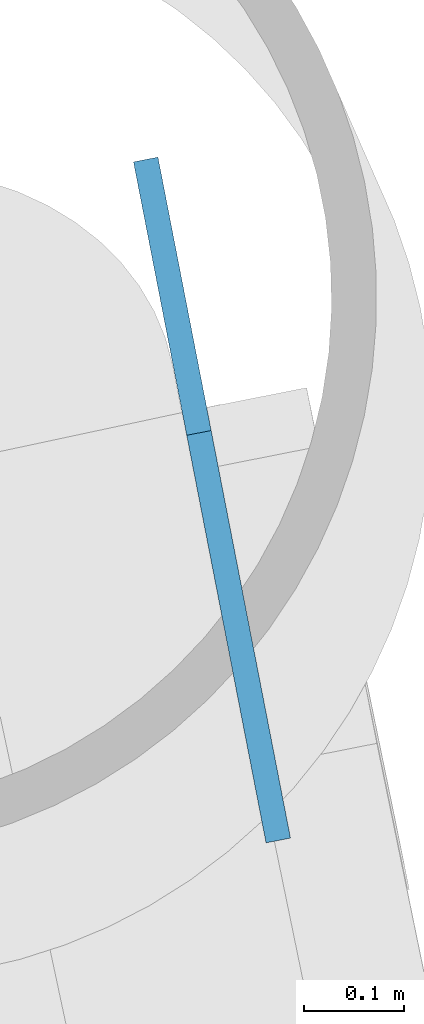
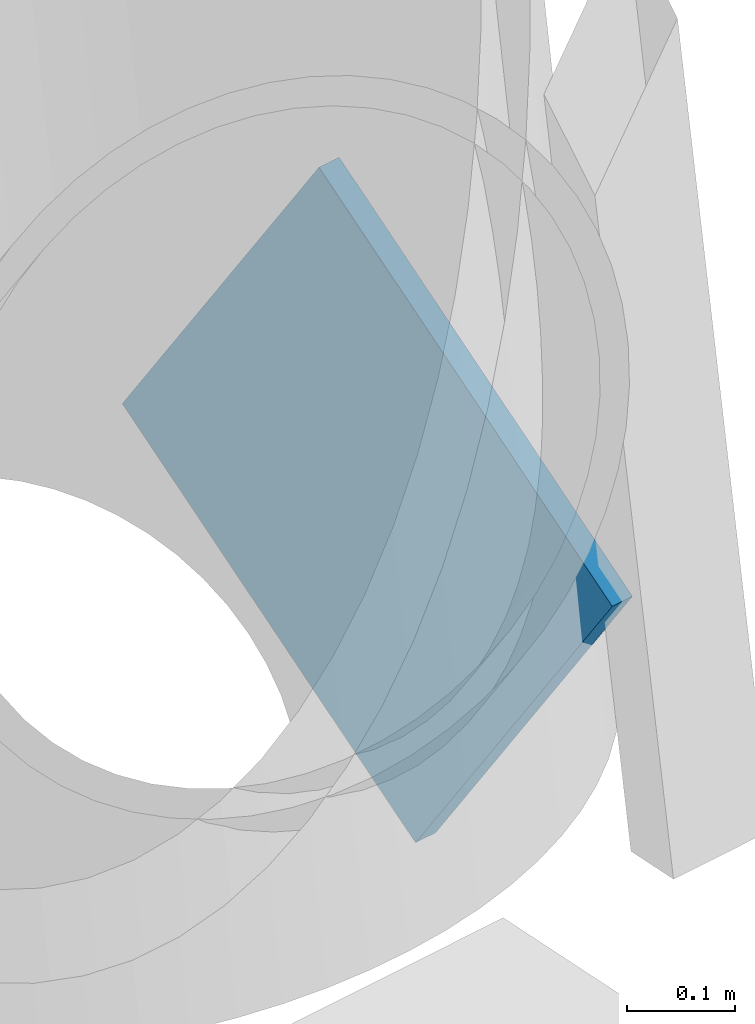
# One storey, part 16 of 24: 1 discrete accessory.
"""IFC4 building model written with IfcOpenShell, lengths in metres."""

from ifc_helpers import new_model, si_unit, direction, frame, origin, origin_2d, place, context, subcontext, project, spatial, rectangle, extrude, material, material_profile, profile_set, type_object, element, save


model = new_model("IFC4")

# Units and contexts
model_context = context("Model", 3, precision=1e-05, world=origin(), true_north=direction((0.0, 1.0)))
body_context = subcontext(model_context, "Body", "Model", "MODEL_VIEW")
ifc_project = project(units=[si_unit("LENGTHUNIT", "METRE"), si_unit("AREAUNIT", "SQUARE_METRE"), si_unit("VOLUMEUNIT", "CUBIC_METRE"), si_unit("PLANEANGLEUNIT", "RADIAN"), si_unit("MASSUNIT", "GRAM", prefix="KILO")], contexts=[model_context])

# Site, building, storey
site_placement = place(None, origin())
site = spatial("IfcSite", under=ifc_project, at=site_placement, CompositionType="ELEMENT")
building_placement = place(site_placement, origin())
building = spatial("IfcBuilding", under=site, at=building_placement, Name="Tarsis Ring Headquarters", CompositionType="ELEMENT")
storey_placement = place(building_placement, frame((0.0, 0.0, 163.199951171875)))
storey = spatial("IfcBuildingStorey", under=building, at=storey_placement, Name="L37", CompositionType="ELEMENT", Elevation=163.199951171875)

# Discrete accessory
ifc_material = material(Name="Structural steel S355", Category="steel")
ifc_material_profile = material_profile(ifc_material, rectangle(XDim=0.02490234375, YDim=0.5, at=origin_2d()), Name="PL 25x500")
ifc_profile_set = profile_set([ifc_material_profile], Name="Structural steel S355")
discrete_accessory_type = type_object("IfcDiscreteAccessoryType", Name="Gusset plate Exo brace 25", PredefinedType="BRACKET", material=ifc_profile_set)
discrete_accessory_placement = place(storey_placement, frame((26.98291015625, 11.5693359375, 0.0), z_axis=(0.10643235912, -0.546808450525, 0.830465334235), x_axis=(0.981578881809, 0.191057318066, 0.0)))
element("IfcDiscreteAccessory", 1, at=discrete_accessory_placement, inside=storey, type_object=discrete_accessory_type, Name="Gusset plate GP5", PredefinedType="BRACKET", context=body_context, shape_type="SweptSolid", body=[
    extrude(rectangle(XDim=0.02490234375, YDim=0.5, at=origin_2d()), origin(), (0.0, 0.0, 1.0), 0.5),
])

save(model, "model.ifc")
